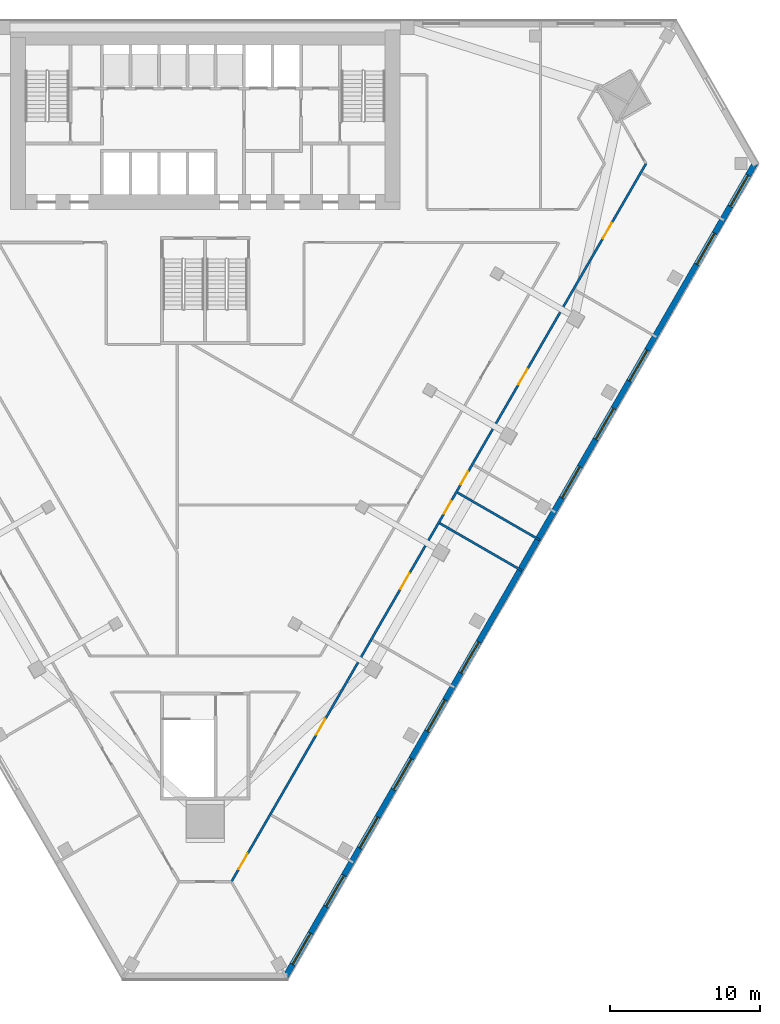
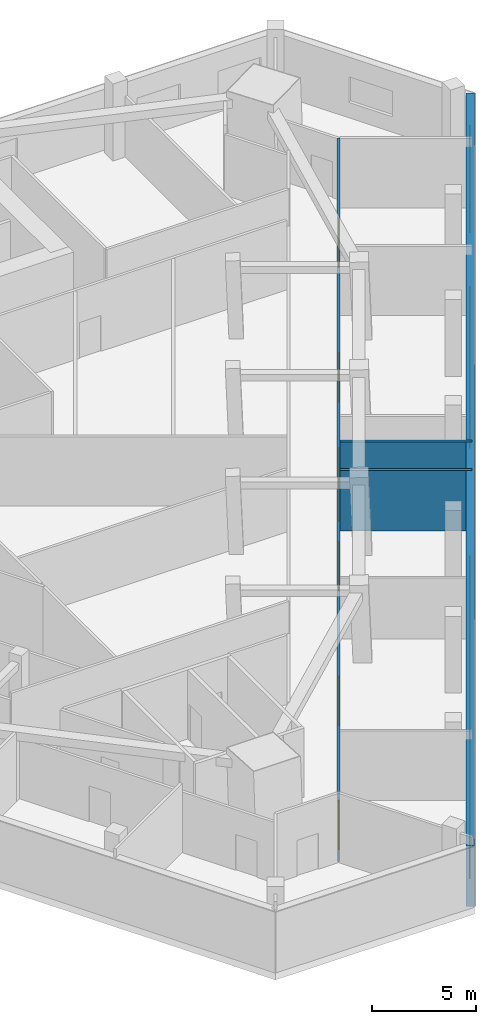
# One storey, part 3 of 9: 11 windows, 7 doors, 4 walls, 18 openings.
"""IFC4 building model written with IfcOpenShell, lengths in metres."""

from ifc_helpers import new_model, si_unit, direction, frame, frame_2d, origin, place, context, subcontext, project, spatial, rectangle, extrude, material, layer, layer_set, type_object, element, fill, save


model = new_model("IFC4")

# Units and contexts
model_context = context("Model", 3, precision=1e-05, world=origin(), true_north=direction((0.0, 1.0)))
body_context = subcontext(model_context, "Body", "Model", "MODEL_VIEW")
ifc_project = project(units=[si_unit("LENGTHUNIT", "METRE"), si_unit("AREAUNIT", "SQUARE_METRE"), si_unit("VOLUMEUNIT", "CUBIC_METRE"), si_unit("PLANEANGLEUNIT", "RADIAN"), si_unit("MASSUNIT", "GRAM", prefix="KILO")], contexts=[model_context])

# Site, building, storey
site_placement = place(None, origin())
site = spatial("IfcSite", under=ifc_project, at=site_placement, CompositionType="ELEMENT")
building_placement = place(site_placement, origin())
building = spatial("IfcBuilding", under=site, at=building_placement, Name="Altiplano Prism Tower", CompositionType="ELEMENT")
storey_placement = place(building_placement, frame((0.0, 0.0, 18.0)))
storey = spatial("IfcBuildingStorey", under=building, at=storey_placement, Name="L03", CompositionType="ELEMENT", Elevation=18.0)

# Wall, openings, doors
ifc_material_1 = material(Name="Plasterboard on steel stud", Category="steel")
ifc_layer_1 = layer(ifc_material_1, 0.14990234375)
ifc_layer_set_1 = layer_set([ifc_layer_1], Name="Plasterboard on steel stud")
wall_type_1 = type_object("IfcWallType", Name="Partition 150 corridor", PredefinedType="PARTITIONING", material=ifc_layer_set_1)
wall_1_placement = place(storey_placement, frame((86.747314453125, 47.5263671875, 0.0), z_axis=(0.0, 0.0, 1.0), x_axis=(0.500000085768, 0.866025354266, 0.0)))
wall_1 = element("IfcWall", 1, at=wall_1_placement, inside=storey, type_object=wall_type_1, Name="Partition P06 L03 005", PredefinedType="PARTITIONING", context=body_context, shape_type="SweptSolid", body=[
    extrude(rectangle(XDim=55.36474609375, YDim=0.14990234375, at=frame_2d((27.682373046875, 0.0))), origin(), (0.0, 0.0, 1.0), 3.550048828125),
])
opening_1_placement = place(wall_1_placement, frame((0.969970703125, 0.0, 0.0)))
opening_1 = element("IfcOpeningElement", 2, at=opening_1_placement, cuts=wall_1, Name="Opening D0090", PredefinedType="OPENING", context=body_context, shape_type="SweptSolid", body=[
    extrude(rectangle(XDim=1.199951171875, YDim=2.10009765625, at=frame_2d((0.60009765625, 1.050048828125))), frame((0.0, 0.08544921875, 0.0), z_axis=(0.0, -1.0, 0.0), x_axis=(1.0, 0.0, 0.0)), (0.0, 0.0, 1.0), 0.1708984375),
])
opening_2_placement = place(wall_1_placement, frame((11.33203125, 0.0, 0.0)))
opening_2 = element("IfcOpeningElement", 3, at=opening_2_placement, cuts=wall_1, Name="Opening D0091", PredefinedType="OPENING", context=body_context, shape_type="SweptSolid", body=[
    extrude(rectangle(XDim=1.199951171875, YDim=2.10009765625, at=frame_2d((0.60009765625, 1.050048828125))), frame((0.0, 0.08544921875, 0.0), z_axis=(0.0, -1.0, 0.0), x_axis=(1.0, 0.0, 0.0)), (0.0, 0.0, 1.0), 0.1708984375),
])
opening_3_placement = place(wall_1_placement, frame((22.58203125, 0.0, 0.0)))
opening_3 = element("IfcOpeningElement", 4, at=opening_3_placement, cuts=wall_1, Name="Opening D0092", PredefinedType="OPENING", context=body_context, shape_type="SweptSolid", body=[
    extrude(rectangle(XDim=1.199951171875, YDim=2.10009765625, at=frame_2d((0.60009765625, 1.050048828125))), frame((0.0, 0.08544921875, 0.0), z_axis=(0.0, -1.0, 0.0), x_axis=(1.0, 0.0, 0.0)), (0.0, 0.0, 1.0), 0.1708984375),
])
opening_4_placement = place(wall_1_placement, frame((28.364990234375, 0.0, 0.0)))
opening_4 = element("IfcOpeningElement", 5, at=opening_4_placement, cuts=wall_1, Name="Opening D0093", PredefinedType="OPENING", context=body_context, shape_type="SweptSolid", body=[
    extrude(rectangle(XDim=1.0, YDim=2.10009765625, at=frame_2d((0.5, 1.050048828125))), frame((0.0, 0.08544921875, 0.0), z_axis=(0.0, -1.0, 0.0), x_axis=(1.0, 0.0, 0.0)), (0.0, 0.0, 1.0), 0.1708984375),
])
opening_5_placement = place(wall_1_placement, frame((30.614990234375, 0.0, 0.0)))
opening_5 = element("IfcOpeningElement", 6, at=opening_5_placement, cuts=wall_1, Name="Opening D0094", PredefinedType="OPENING", context=body_context, shape_type="SweptSolid", body=[
    extrude(rectangle(XDim=1.0, YDim=2.10009765625, at=frame_2d((0.5, 1.050048828125))), frame((0.0, 0.08544921875, 0.0), z_axis=(0.0, -1.0, 0.0), x_axis=(1.0, 0.0, 0.0)), (0.0, 0.0, 1.0), 0.1708984375),
])
opening_6_placement = place(wall_1_placement, frame((38.33203125, 0.0, 0.0)))
opening_6 = element("IfcOpeningElement", 7, at=opening_6_placement, cuts=wall_1, Name="Opening D0095", PredefinedType="OPENING", context=body_context, shape_type="SweptSolid", body=[
    extrude(rectangle(XDim=1.199951171875, YDim=2.10009765625, at=frame_2d((0.60009765625, 1.050048828125))), frame((0.0, 0.08544921875, 0.0), z_axis=(0.0, -1.0, 0.0), x_axis=(1.0, 0.0, 0.0)), (0.0, 0.0, 1.0), 0.1708984375),
])
opening_7_placement = place(wall_1_placement, frame((49.58203125, 0.0, 0.0)))
opening_7 = element("IfcOpeningElement", 8, at=opening_7_placement, cuts=wall_1, Name="Opening D0096", PredefinedType="OPENING", context=body_context, shape_type="SweptSolid", body=[
    extrude(rectangle(XDim=1.199951171875, YDim=2.10009765625, at=frame_2d((0.60009765625, 1.050048828125))), frame((0.0, 0.08544921875, 0.0), z_axis=(0.0, -1.0, 0.0), x_axis=(1.0, 0.0, 0.0)), (0.0, 0.0, 1.0), 0.1708984375),
])
ifc_material_2 = material(Name="Timber", Category="wood")
door_type_1 = type_object("IfcDoorType", Name="Shared room door 1200 x 2100", OperationType="NOTDEFINED", PredefinedType="NOTDEFINED", material=ifc_material_2)
door_1_placement = place(opening_1_placement, origin())
door_1 = element("IfcDoor", 9, at=door_1_placement, inside=storey, type_object=door_type_1, Name="Door D0090", OperationType="SINGLE_SWING_LEFT", OverallHeight=2.10009765625, OverallWidth=1.199951171875, PredefinedType="NOTDEFINED", context=body_context, shape_type="SweptSolid", body=[
    extrude(rectangle(XDim=1.199951171875, YDim=2.10009765625, at=frame_2d((0.60009765625, 1.050048828125))), frame((0.0, 0.02490234375, 0.0), z_axis=(0.0, -1.0, 0.0), x_axis=(1.0, 0.0, 0.0)), (0.0, 0.0, 1.0), 0.050048828125),
])
fill(opening_1, door_1)
door_2_placement = place(opening_2_placement, origin())
door_2 = element("IfcDoor", 10, at=door_2_placement, inside=storey, type_object=door_type_1, Name="Door D0091", OperationType="SINGLE_SWING_LEFT", OverallHeight=2.10009765625, OverallWidth=1.199951171875, PredefinedType="NOTDEFINED", context=body_context, shape_type="SweptSolid", body=[
    extrude(rectangle(XDim=1.199951171875, YDim=2.10009765625, at=frame_2d((0.60009765625, 1.050048828125))), frame((0.0, 0.02490234375, 0.0), z_axis=(0.0, -1.0, 0.0), x_axis=(1.0, 0.0, 0.0)), (0.0, 0.0, 1.0), 0.050048828125),
])
fill(opening_2, door_2)
door_3_placement = place(opening_3_placement, origin())
door_3 = element("IfcDoor", 11, at=door_3_placement, inside=storey, type_object=door_type_1, Name="Door D0092", OperationType="SINGLE_SWING_LEFT", OverallHeight=2.10009765625, OverallWidth=1.199951171875, PredefinedType="NOTDEFINED", context=body_context, shape_type="SweptSolid", body=[
    extrude(rectangle(XDim=1.199951171875, YDim=2.10009765625, at=frame_2d((0.60009765625, 1.050048828125))), frame((0.0, 0.02490234375, 0.0), z_axis=(0.0, -1.0, 0.0), x_axis=(1.0, 0.0, 0.0)), (0.0, 0.0, 1.0), 0.050048828125),
])
fill(opening_3, door_3)
door_4_placement = place(opening_6_placement, origin())
door_4 = element("IfcDoor", 12, at=door_4_placement, inside=storey, type_object=door_type_1, Name="Door D0095", OperationType="SINGLE_SWING_LEFT", OverallHeight=2.10009765625, OverallWidth=1.199951171875, PredefinedType="NOTDEFINED", context=body_context, shape_type="SweptSolid", body=[
    extrude(rectangle(XDim=1.199951171875, YDim=2.10009765625, at=frame_2d((0.60009765625, 1.050048828125))), frame((0.0, 0.02490234375, 0.0), z_axis=(0.0, -1.0, 0.0), x_axis=(1.0, 0.0, 0.0)), (0.0, 0.0, 1.0), 0.050048828125),
])
fill(opening_6, door_4)
door_5_placement = place(opening_7_placement, origin())
door_5 = element("IfcDoor", 13, at=door_5_placement, inside=storey, type_object=door_type_1, Name="Door D0096", OperationType="SINGLE_SWING_RIGHT", OverallHeight=2.10009765625, OverallWidth=1.199951171875, PredefinedType="NOTDEFINED", context=body_context, shape_type="SweptSolid", body=[
    extrude(rectangle(XDim=1.199951171875, YDim=2.10009765625, at=frame_2d((0.60009765625, 1.050048828125))), frame((0.0, 0.02490234375, 0.0), z_axis=(0.0, -1.0, 0.0), x_axis=(1.0, 0.0, 0.0)), (0.0, 0.0, 1.0), 0.050048828125),
])
fill(opening_7, door_5)
door_type_2 = type_object("IfcDoorType", Name="Store door 1000 x 2100", OperationType="NOTDEFINED", PredefinedType="NOTDEFINED", material=ifc_material_2)
door_6_placement = place(opening_4_placement, origin())
door_6 = element("IfcDoor", 14, at=door_6_placement, inside=storey, type_object=door_type_2, Name="Door D0093", OperationType="SINGLE_SWING_LEFT", OverallHeight=2.10009765625, OverallWidth=1.0, PredefinedType="NOTDEFINED", context=body_context, shape_type="SweptSolid", body=[
    extrude(rectangle(XDim=1.0, YDim=2.10009765625, at=frame_2d((0.5, 1.050048828125))), frame((0.0, 0.02490234375, 0.0), z_axis=(0.0, -1.0, 0.0), x_axis=(1.0, 0.0, 0.0)), (0.0, 0.0, 1.0), 0.050048828125),
])
fill(opening_4, door_6)
door_7_placement = place(opening_5_placement, origin())
door_7 = element("IfcDoor", 15, at=door_7_placement, inside=storey, type_object=door_type_2, Name="Door D0094", OperationType="SINGLE_SWING_LEFT", OverallHeight=2.10009765625, OverallWidth=1.0, PredefinedType="NOTDEFINED", context=body_context, shape_type="SweptSolid", body=[
    extrude(rectangle(XDim=1.0, YDim=2.10009765625, at=frame_2d((0.5, 1.050048828125))), frame((0.0, 0.02490234375, 0.0), z_axis=(0.0, -1.0, 0.0), x_axis=(1.0, 0.0, 0.0)), (0.0, 0.0, 1.0), 0.050048828125),
])
fill(opening_5, door_7)

# Walls
ifc_layer_2 = layer(ifc_material_1, 0.14990234375)
ifc_layer_set_2 = layer_set([ifc_layer_2], Name="Plasterboard on steel stud")
wall_type_2 = type_object("IfcWallType", Name="Partition 150 party", PredefinedType="PARTITIONING", material=ifc_layer_set_2)
wall_2_placement = place(storey_placement, frame((106.131103515625, 68.300048828125, 0.0), z_axis=(0.0, 0.0, 1.0), x_axis=(-0.866042250622, 0.499970819286, 0.0)))
element("IfcWall", 16, at=wall_2_placement, inside=storey, type_object=wall_type_2, Name="Partition P01 L03 053", PredefinedType="PARTITIONING", context=body_context, shape_type="SweptSolid", body=[
    extrude(rectangle(XDim=6.3251953125, YDim=0.14990234375, at=frame_2d((3.16259765625, 0.0))), origin(), (0.0, 0.0, 1.0), 3.550048828125),
])
wall_3_placement = place(storey_placement, frame((107.31396484375, 70.348876953125, 0.0), z_axis=(0.0, 0.0, 1.0), x_axis=(-0.866015887322, 0.500016482634, 0.0)))
element("IfcWall", 17, at=wall_3_placement, inside=storey, type_object=wall_type_2, Name="Partition P01 L03 054", PredefinedType="PARTITIONING", context=body_context, shape_type="SweptSolid", body=[
    extrude(rectangle(XDim=6.324951171875, YDim=0.14990234375, at=frame_2d((3.16259765625, 0.0))), origin(), (0.0, 0.0, 1.0), 3.550048828125),
])

# Wall, openings, windows
ifc_material_3 = material(Name="Concrete C40", Category="concrete")
ifc_layer_3 = layer(ifc_material_3, 0.39990234375)
ifc_layer_set_3 = layer_set([ifc_layer_3], Name="Concrete C40")
wall_type_3 = type_object("IfcWallType", Name="Stone-clad podium wall 400", PredefinedType="SOLIDWALL", material=ifc_layer_set_3)
wall_4_placement = place(storey_placement, frame((121.761962890625, 95.57373046875, 0.0), z_axis=(0.0, 0.0, 1.0), x_axis=(-0.499997306052, -0.866026959131, 0.0)))
wall_4 = element("IfcWall", 18, at=wall_4_placement, inside=storey, type_object=wall_type_3, Name="External wall south-east face L03", PredefinedType="SOLIDWALL", context=body_context, shape_type="SweptSolid", body=[
    extrude(rectangle(XDim=62.870361328125, YDim=0.39990234375, at=frame_2d((31.43505859375, 0.0))), origin(), (0.0, 0.0, 1.0), 3.550048828125),
])
opening_8_placement = place(wall_4_placement, frame((59.452392578125, 0.0, 0.89990234375)))
opening_8 = element("IfcOpeningElement", 19, at=opening_8_placement, cuts=wall_4, Name="Opening W1", PredefinedType="OPENING", context=body_context, shape_type="SweptSolid", body=[
    extrude(rectangle(XDim=2.39990234375, YDim=1.5, at=frame_2d((1.199951171875, 0.75))), frame((0.0, 0.21044921875, 0.0), z_axis=(0.0, -1.0, 0.0), x_axis=(1.0, 0.0, 0.0)), (0.0, 0.0, 1.0), 0.4208984375),
])
opening_9_placement = place(wall_4_placement, frame((54.985595703125, 0.0, 0.89990234375)))
opening_9 = element("IfcOpeningElement", 20, at=opening_9_placement, cuts=wall_4, Name="Opening W1", PredefinedType="OPENING", context=body_context, shape_type="SweptSolid", body=[
    extrude(rectangle(XDim=2.39990234375, YDim=1.5, at=frame_2d((1.199951171875, 0.75))), frame((0.0, 0.21044921875, 0.0), z_axis=(0.0, -1.0, 0.0), x_axis=(1.0, 0.0, 0.0)), (0.0, 0.0, 1.0), 0.4208984375),
])
opening_10_placement = place(wall_4_placement, frame((50.485595703125, 0.0, 0.89990234375)))
opening_10 = element("IfcOpeningElement", 21, at=opening_10_placement, cuts=wall_4, Name="Opening W1", PredefinedType="OPENING", context=body_context, shape_type="SweptSolid", body=[
    extrude(rectangle(XDim=2.39990234375, YDim=1.5, at=frame_2d((1.199951171875, 0.75))), frame((0.0, 0.21044921875, 0.0), z_axis=(0.0, -1.0, 0.0), x_axis=(1.0, 0.0, 0.0)), (0.0, 0.0, 1.0), 0.4208984375),
])
opening_11_placement = place(wall_4_placement, frame((45.985595703125, 0.0, 0.89990234375)))
opening_11 = element("IfcOpeningElement", 22, at=opening_11_placement, cuts=wall_4, Name="Opening W1", PredefinedType="OPENING", context=body_context, shape_type="SweptSolid", body=[
    extrude(rectangle(XDim=2.39990234375, YDim=1.5, at=frame_2d((1.199951171875, 0.75))), frame((0.0, 0.21044921875, 0.0), z_axis=(0.0, -1.0, 0.0), x_axis=(1.0, 0.0, 0.0)), (0.0, 0.0, 1.0), 0.4208984375),
])
opening_12_placement = place(wall_4_placement, frame((41.485595703125, 0.0, 0.89990234375)))
opening_12 = element("IfcOpeningElement", 23, at=opening_12_placement, cuts=wall_4, Name="Opening W1", PredefinedType="OPENING", context=body_context, shape_type="SweptSolid", body=[
    extrude(rectangle(XDim=2.39990234375, YDim=1.5, at=frame_2d((1.199951171875, 0.75))), frame((0.0, 0.21044921875, 0.0), z_axis=(0.0, -1.0, 0.0), x_axis=(1.0, 0.0, 0.0)), (0.0, 0.0, 1.0), 0.4208984375),
])
opening_13_placement = place(wall_4_placement, frame((36.985595703125, 0.0, 0.89990234375)))
opening_13 = element("IfcOpeningElement", 24, at=opening_13_placement, cuts=wall_4, Name="Opening W1", PredefinedType="OPENING", context=body_context, shape_type="SweptSolid", body=[
    extrude(rectangle(XDim=2.39990234375, YDim=1.5, at=frame_2d((1.199951171875, 0.75))), frame((0.0, 0.21044921875, 0.0), z_axis=(0.0, -1.0, 0.0), x_axis=(1.0, 0.0, 0.0)), (0.0, 0.0, 1.0), 0.4208984375),
])
opening_14_placement = place(wall_4_placement, frame((23.485595703125, 0.0, 0.89990234375)))
opening_14 = element("IfcOpeningElement", 25, at=opening_14_placement, cuts=wall_4, Name="Opening W1", PredefinedType="OPENING", context=body_context, shape_type="SweptSolid", body=[
    extrude(rectangle(XDim=2.39990234375, YDim=1.5, at=frame_2d((1.199951171875, 0.75))), frame((0.0, 0.21044921875, 0.0), z_axis=(0.0, -1.0, 0.0), x_axis=(1.0, 0.0, 0.0)), (0.0, 0.0, 1.0), 0.4208984375),
])
opening_15_placement = place(wall_4_placement, frame((18.985595703125, 0.0, 0.89990234375)))
opening_15 = element("IfcOpeningElement", 26, at=opening_15_placement, cuts=wall_4, Name="Opening W1", PredefinedType="OPENING", context=body_context, shape_type="SweptSolid", body=[
    extrude(rectangle(XDim=2.39990234375, YDim=1.5, at=frame_2d((1.199951171875, 0.75))), frame((0.0, 0.21044921875, 0.0), z_axis=(0.0, -1.0, 0.0), x_axis=(1.0, 0.0, 0.0)), (0.0, 0.0, 1.0), 0.4208984375),
])
opening_16_placement = place(wall_4_placement, frame((14.485595703125, 0.0, 0.89990234375)))
opening_16 = element("IfcOpeningElement", 27, at=opening_16_placement, cuts=wall_4, Name="Opening W1", PredefinedType="OPENING", context=body_context, shape_type="SweptSolid", body=[
    extrude(rectangle(XDim=2.39990234375, YDim=1.5, at=frame_2d((1.199951171875, 0.75))), frame((0.0, 0.21044921875, 0.0), z_axis=(0.0, -1.0, 0.0), x_axis=(1.0, 0.0, 0.0)), (0.0, 0.0, 1.0), 0.4208984375),
])
opening_17_placement = place(wall_4_placement, frame((5.485595703125, 0.0, 0.89990234375)))
opening_17 = element("IfcOpeningElement", 28, at=opening_17_placement, cuts=wall_4, Name="Opening W1", PredefinedType="OPENING", context=body_context, shape_type="SweptSolid", body=[
    extrude(rectangle(XDim=2.39990234375, YDim=1.5, at=frame_2d((1.199951171875, 0.75))), frame((0.0, 0.21044921875, 0.0), z_axis=(0.0, -1.0, 0.0), x_axis=(1.0, 0.0, 0.0)), (0.0, 0.0, 1.0), 0.4208984375),
])
opening_18_placement = place(wall_4_placement, frame((1.017578125, 0.0, 0.89990234375)))
opening_18 = element("IfcOpeningElement", 29, at=opening_18_placement, cuts=wall_4, Name="Opening W1", PredefinedType="OPENING", context=body_context, shape_type="SweptSolid", body=[
    extrude(rectangle(XDim=2.39990234375, YDim=1.5, at=frame_2d((1.199951171875, 0.75))), frame((0.0, 0.21044921875, 0.0), z_axis=(0.0, -1.0, 0.0), x_axis=(1.0, 0.0, 0.0)), (0.0, 0.0, 1.0), 0.4208984375),
])
ifc_material_4 = material(Name="Glass", Category="glass")
window_type = type_object("IfcWindowType", Name="Window 2400 x 1500", PartitioningType="SINGLE_PANEL", PredefinedType="WINDOW", material=ifc_material_4)
window_1_placement = place(opening_8_placement, origin())
window_1 = element("IfcWindow", 30, at=window_1_placement, inside=storey, type_object=window_type, Name="Podium window L03", OverallHeight=1.5, OverallWidth=2.39990234375, PartitioningType="SINGLE_PANEL", PredefinedType="WINDOW", context=body_context, shape_type="SweptSolid", body=[
    extrude(rectangle(XDim=2.39990234375, YDim=1.5, at=frame_2d((1.199951171875, 0.75))), frame((0.0, 0.030029296875, 0.0), z_axis=(0.0, -1.0, 0.0), x_axis=(1.0, 0.0, 0.0)), (0.0, 0.0, 1.0), 0.06005859375),
])
fill(opening_8, window_1)
window_2_placement = place(opening_9_placement, origin())
window_2 = element("IfcWindow", 31, at=window_2_placement, inside=storey, type_object=window_type, Name="Podium window L03", OverallHeight=1.5, OverallWidth=2.39990234375, PartitioningType="SINGLE_PANEL", PredefinedType="WINDOW", context=body_context, shape_type="SweptSolid", body=[
    extrude(rectangle(XDim=2.39990234375, YDim=1.5, at=frame_2d((1.199951171875, 0.75))), frame((0.0, 0.030029296875, 0.0), z_axis=(0.0, -1.0, 0.0), x_axis=(1.0, 0.0, 0.0)), (0.0, 0.0, 1.0), 0.06005859375),
])
fill(opening_9, window_2)
window_3_placement = place(opening_10_placement, origin())
window_3 = element("IfcWindow", 32, at=window_3_placement, inside=storey, type_object=window_type, Name="Podium window L03", OverallHeight=1.5, OverallWidth=2.39990234375, PartitioningType="SINGLE_PANEL", PredefinedType="WINDOW", context=body_context, shape_type="SweptSolid", body=[
    extrude(rectangle(XDim=2.39990234375, YDim=1.5, at=frame_2d((1.199951171875, 0.75))), frame((0.0, 0.030029296875, 0.0), z_axis=(0.0, -1.0, 0.0), x_axis=(1.0, 0.0, 0.0)), (0.0, 0.0, 1.0), 0.06005859375),
])
fill(opening_10, window_3)
window_4_placement = place(opening_11_placement, origin())
window_4 = element("IfcWindow", 33, at=window_4_placement, inside=storey, type_object=window_type, Name="Podium window L03", OverallHeight=1.5, OverallWidth=2.39990234375, PartitioningType="SINGLE_PANEL", PredefinedType="WINDOW", context=body_context, shape_type="SweptSolid", body=[
    extrude(rectangle(XDim=2.39990234375, YDim=1.5, at=frame_2d((1.199951171875, 0.75))), frame((0.0, 0.030029296875, 0.0), z_axis=(0.0, -1.0, 0.0), x_axis=(1.0, 0.0, 0.0)), (0.0, 0.0, 1.0), 0.06005859375),
])
fill(opening_11, window_4)
window_5_placement = place(opening_12_placement, origin())
window_5 = element("IfcWindow", 34, at=window_5_placement, inside=storey, type_object=window_type, Name="Podium window L03", OverallHeight=1.5, OverallWidth=2.39990234375, PartitioningType="SINGLE_PANEL", PredefinedType="WINDOW", context=body_context, shape_type="SweptSolid", body=[
    extrude(rectangle(XDim=2.39990234375, YDim=1.5, at=frame_2d((1.199951171875, 0.75))), frame((0.0, 0.030029296875, 0.0), z_axis=(0.0, -1.0, 0.0), x_axis=(1.0, 0.0, 0.0)), (0.0, 0.0, 1.0), 0.06005859375),
])
fill(opening_12, window_5)
window_6_placement = place(opening_13_placement, origin())
window_6 = element("IfcWindow", 35, at=window_6_placement, inside=storey, type_object=window_type, Name="Podium window L03", OverallHeight=1.5, OverallWidth=2.39990234375, PartitioningType="SINGLE_PANEL", PredefinedType="WINDOW", context=body_context, shape_type="SweptSolid", body=[
    extrude(rectangle(XDim=2.39990234375, YDim=1.5, at=frame_2d((1.199951171875, 0.75))), frame((0.0, 0.030029296875, 0.0), z_axis=(0.0, -1.0, 0.0), x_axis=(1.0, 0.0, 0.0)), (0.0, 0.0, 1.0), 0.06005859375),
])
fill(opening_13, window_6)
window_7_placement = place(opening_14_placement, origin())
window_7 = element("IfcWindow", 36, at=window_7_placement, inside=storey, type_object=window_type, Name="Podium window L03", OverallHeight=1.5, OverallWidth=2.39990234375, PartitioningType="SINGLE_PANEL", PredefinedType="WINDOW", context=body_context, shape_type="SweptSolid", body=[
    extrude(rectangle(XDim=2.39990234375, YDim=1.5, at=frame_2d((1.199951171875, 0.75))), frame((0.0, 0.030029296875, 0.0), z_axis=(0.0, -1.0, 0.0), x_axis=(1.0, 0.0, 0.0)), (0.0, 0.0, 1.0), 0.06005859375),
])
fill(opening_14, window_7)
window_8_placement = place(opening_15_placement, origin())
window_8 = element("IfcWindow", 37, at=window_8_placement, inside=storey, type_object=window_type, Name="Podium window L03", OverallHeight=1.5, OverallWidth=2.39990234375, PartitioningType="SINGLE_PANEL", PredefinedType="WINDOW", context=body_context, shape_type="SweptSolid", body=[
    extrude(rectangle(XDim=2.39990234375, YDim=1.5, at=frame_2d((1.199951171875, 0.75))), frame((0.0, 0.030029296875, 0.0), z_axis=(0.0, -1.0, 0.0), x_axis=(1.0, 0.0, 0.0)), (0.0, 0.0, 1.0), 0.06005859375),
])
fill(opening_15, window_8)
window_9_placement = place(opening_16_placement, origin())
window_9 = element("IfcWindow", 38, at=window_9_placement, inside=storey, type_object=window_type, Name="Podium window L03", OverallHeight=1.5, OverallWidth=2.39990234375, PartitioningType="SINGLE_PANEL", PredefinedType="WINDOW", context=body_context, shape_type="SweptSolid", body=[
    extrude(rectangle(XDim=2.39990234375, YDim=1.5, at=frame_2d((1.199951171875, 0.75))), frame((0.0, 0.030029296875, 0.0), z_axis=(0.0, -1.0, 0.0), x_axis=(1.0, 0.0, 0.0)), (0.0, 0.0, 1.0), 0.06005859375),
])
fill(opening_16, window_9)
window_10_placement = place(opening_17_placement, origin())
window_10 = element("IfcWindow", 39, at=window_10_placement, inside=storey, type_object=window_type, Name="Podium window L03", OverallHeight=1.5, OverallWidth=2.39990234375, PartitioningType="SINGLE_PANEL", PredefinedType="WINDOW", context=body_context, shape_type="SweptSolid", body=[
    extrude(rectangle(XDim=2.39990234375, YDim=1.5, at=frame_2d((1.199951171875, 0.75))), frame((0.0, 0.030029296875, 0.0), z_axis=(0.0, -1.0, 0.0), x_axis=(1.0, 0.0, 0.0)), (0.0, 0.0, 1.0), 0.06005859375),
])
fill(opening_17, window_10)
window_11_placement = place(opening_18_placement, origin())
window_11 = element("IfcWindow", 40, at=window_11_placement, inside=storey, type_object=window_type, Name="Podium window L03", OverallHeight=1.5, OverallWidth=2.39990234375, PartitioningType="SINGLE_PANEL", PredefinedType="WINDOW", context=body_context, shape_type="SweptSolid", body=[
    extrude(rectangle(XDim=2.39990234375, YDim=1.5, at=frame_2d((1.199951171875, 0.75))), frame((0.0, 0.030029296875, 0.0), z_axis=(0.0, -1.0, 0.0), x_axis=(1.0, 0.0, 0.0)), (0.0, 0.0, 1.0), 0.06005859375),
])
fill(opening_18, window_11)

save(model, "model.ifc")
